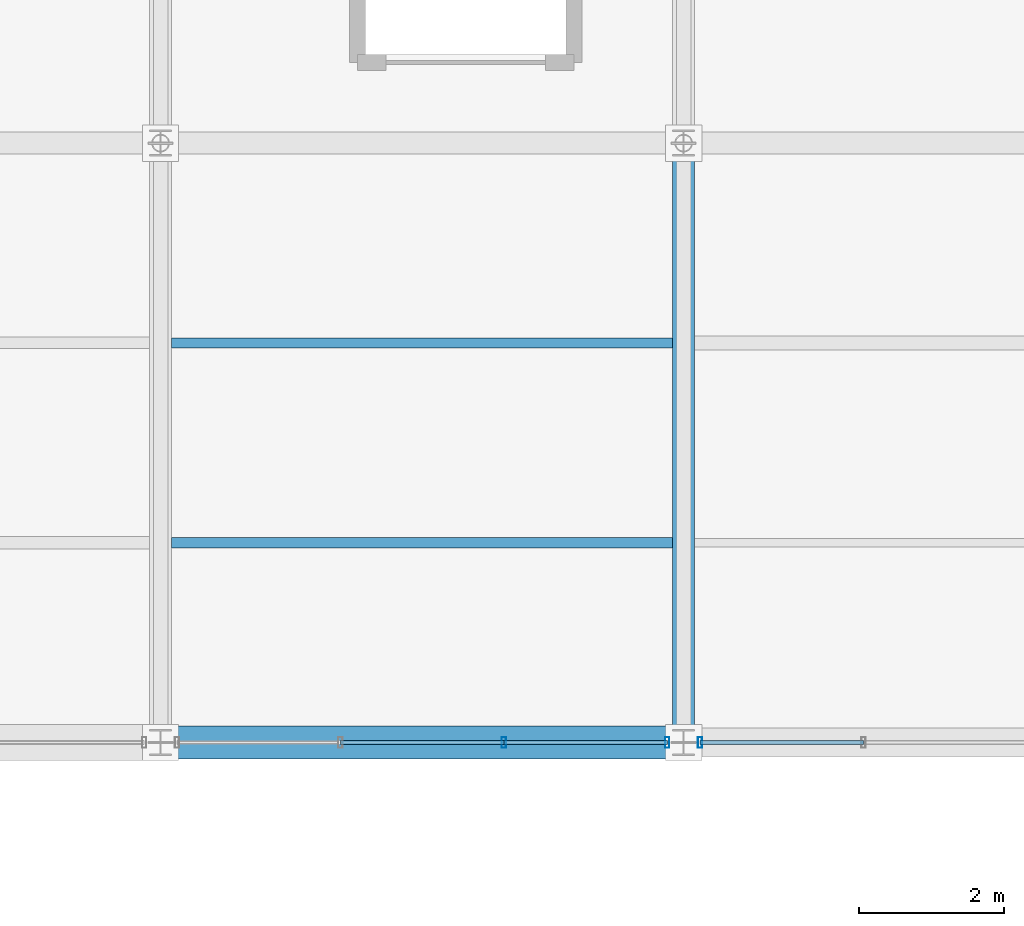
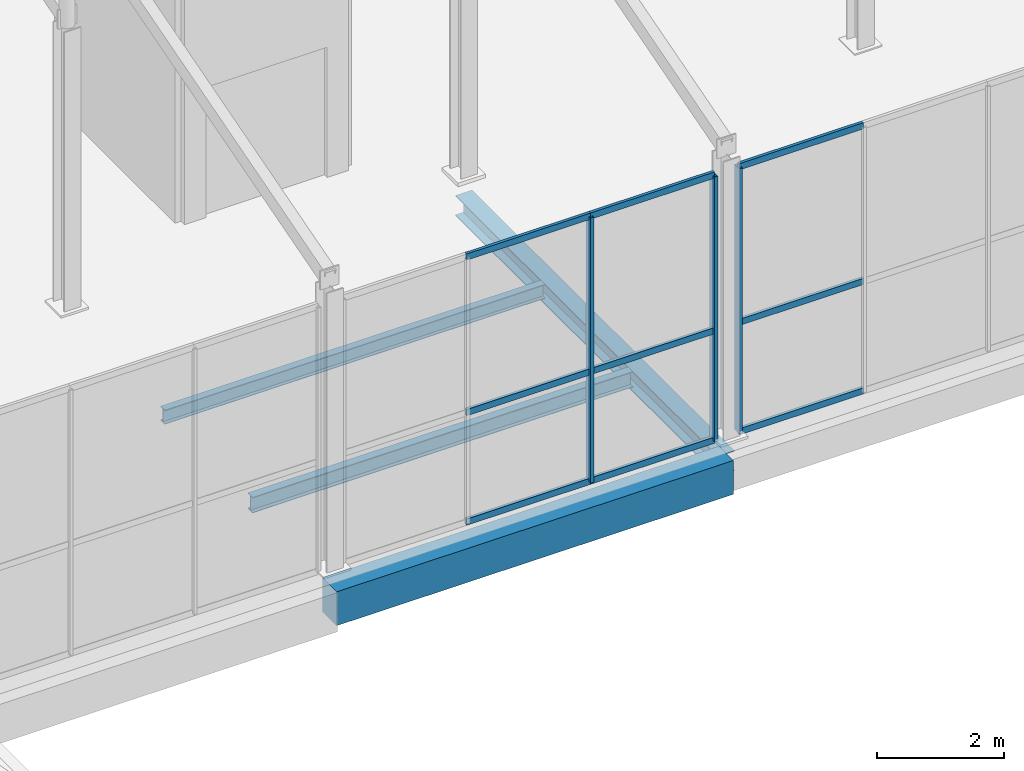
# One storey, part 21 of 141: 12 members, 4 beams, 2 elements without a shape of their own.
"""IFC4 building model written with IfcOpenShell, lengths in metres."""

from ifc_helpers import new_model, si_unit, direction, frame, origin, origin_2d, place, context, subcontext, project, spatial, rectangle, hollow_rectangle, i_section, extrude, material, layer, layer_set, material_profile, profile_set, type_object, element, aggregate, save


model = new_model("IFC4")

# Units and contexts
model_context = context("Model", 3, precision=1e-05, world=origin(), true_north=direction((0.0, 1.0)))
body_context = subcontext(model_context, "Body", "Model", "MODEL_VIEW")
ifc_project = project(units=[si_unit("LENGTHUNIT", "METRE"), si_unit("AREAUNIT", "SQUARE_METRE"), si_unit("VOLUMEUNIT", "CUBIC_METRE"), si_unit("PLANEANGLEUNIT", "RADIAN"), si_unit("MASSUNIT", "GRAM", prefix="KILO")], contexts=[model_context])

# Site, building, storey
site_placement = place(None, origin())
site = spatial("IfcSite", under=ifc_project, at=site_placement, CompositionType="ELEMENT")
building_placement = place(site_placement, origin())
building = spatial("IfcBuilding", under=site, at=building_placement, Name="Sundgate Opera House", CompositionType="ELEMENT")
storey_placement = place(building_placement, frame((0.0, 0.0, 11.39990234375)))
storey = spatial("IfcBuildingStorey", under=building, at=storey_placement, Name="L02", CompositionType="ELEMENT", Elevation=11.39990234375)

# Beams
ifc_material_1 = material(Name="Steel S355J2", Category="steel")
ifc_material_profile_1 = material_profile(ifc_material_1, i_section(OverallWidth=0.300048828125, OverallDepth=0.389892578125, WebThickness=0.010986328125, FlangeThickness=0.01904296875, at=origin_2d()), Name="HEA 400")
ifc_profile_set_1 = profile_set([ifc_material_profile_1], Name="Steel S355J2")
beam_type_1 = type_object("IfcBeamType", Name="BM-GR-HEA400", PredefinedType="BEAM", material=ifc_profile_set_1)
beam_1_placement = place(storey_placement, frame((109.800048828125, 8.25, -0.544921875), z_axis=(0.0, 1.0, 0.0), x_axis=(-1.0, 0.0, 0.0)))
element("IfcBeam", 1, at=beam_1_placement, inside=storey, type_object=beam_type_1, Name="L02 Primary N-S Girder B1868", PredefinedType="BEAM", context=body_context, shape_type="SweptSolid", body=[
    extrude(i_section(OverallWidth=0.300048828125, OverallDepth=0.389892578125, WebThickness=0.010986328125, FlangeThickness=0.01904296875, at=origin_2d()), origin(), (0.0, 0.0, 1.0), 8.25),
])
ifc_material_2 = material(Name="Steel S355J2", Category="steel")
ifc_material_profile_2 = material_profile(ifc_material_2, i_section(OverallWidth=0.135009765625, OverallDepth=0.27001953125, WebThickness=0.006591796875, FlangeThickness=0.01025390625, at=origin_2d()), Name="IPE 270")
ifc_profile_set_2 = profile_set([ifc_material_profile_2], Name="Steel S355J2")
beam_type_2 = type_object("IfcBeamType", Name="BM-JS-IPE270", PredefinedType="JOIST", material=ifc_profile_set_2)
beam_2_placement = place(storey_placement, frame((102.75, 13.75, -0.48486328125), z_axis=(1.0, 0.0, 0.0), x_axis=(0.0, 1.0, 0.0)))
element("IfcBeam", 2, at=beam_2_placement, inside=storey, type_object=beam_type_2, Name="L02 Secondary Floor Joist B2148", PredefinedType="JOIST", context=body_context, shape_type="SweptSolid", body=[
    extrude(i_section(OverallWidth=0.135009765625, OverallDepth=0.27001953125, WebThickness=0.006591796875, FlangeThickness=0.01025390625, at=origin_2d()), origin(), (0.0, 0.0, 1.0), 6.89990234375),
])
ifc_material_3 = material(Name="Steel S355J2", Category="steel")
ifc_material_profile_3 = material_profile(ifc_material_3, i_section(OverallWidth=0.14990234375, OverallDepth=0.300048828125, WebThickness=0.007080078125, FlangeThickness=0.0107421875, at=origin_2d()), Name="IPE 300")
ifc_profile_set_3 = profile_set([ifc_material_profile_3], Name="Steel S355J2")
beam_type_3 = type_object("IfcBeamType", Name="BM-JS-IPE300", PredefinedType="JOIST", material=ifc_profile_set_3)
beam_3_placement = place(storey_placement, frame((102.75, 11.0, -0.5), z_axis=(1.0, 0.0, 0.0), x_axis=(0.0, 1.0, 0.0)))
element("IfcBeam", 3, at=beam_3_placement, inside=storey, type_object=beam_type_3, Name="L02 Secondary Floor Joist B2147", PredefinedType="JOIST", context=body_context, shape_type="SweptSolid", body=[
    extrude(i_section(OverallWidth=0.14990234375, OverallDepth=0.300048828125, WebThickness=0.007080078125, FlangeThickness=0.0107421875, at=origin_2d()), origin(), (0.0, 0.0, 1.0), 6.89990234375),
])
ifc_material_4 = material(Name="Concrete C35/45", Category="concrete")
ifc_material_profile_4 = material_profile(ifc_material_4, rectangle(XDim=0.449951171875, YDim=0.64990234375, at=origin_2d()), Name="RC 450x650")
ifc_profile_set_4 = profile_set([ifc_material_profile_4], Name="Concrete C35/45")
beam_type_4 = type_object("IfcBeamType", Name="BM-RC-450x650", PredefinedType="BEAM", material=ifc_profile_set_4)
beam_4_placement = place(storey_placement, frame((102.60009765625, 8.25, -0.6748046875), z_axis=(1.0, 0.0, 0.0), x_axis=(0.0, 1.0, 0.0)))
element("IfcBeam", 4, at=beam_4_placement, inside=storey, type_object=beam_type_4, Name="L02 Primary E-W Girder B1964", PredefinedType="BEAM", context=body_context, shape_type="SweptSolid", body=[
    extrude(rectangle(XDim=0.449951171875, YDim=0.64990234375, at=origin_2d()), origin(), (0.0, 0.0, 1.0), 7.199951171875),
])

# Curtain wall, members
ifc_material_5 = material(Name="Anodized aluminium and low-iron glass", Category="aluminium")
ifc_layer = layer(ifc_material_5, 0.14990234375)
ifc_layer_set = layer_set([ifc_layer], Name="Anodized aluminium and low-iron glass")
curtain_wall_type = type_object("IfcCurtainWallType", Name="CW-WORKSHOP-DARK", PredefinedType="NOTDEFINED", material=ifc_layer_set)
curtain_wall_1_placement = place(storey_placement, origin())
curtain_wall_1 = element("IfcCurtainWall", 5, at=curtain_wall_1_placement, inside=storey, type_object=curtain_wall_type, Name="L02 Curtain Wall CW155", PredefinedType="NOTDEFINED")
ifc_material_6 = material(Name="Anodized aluminium EN AW-6063", Category="aluminium")
ifc_material_profile_5 = material_profile(ifc_material_6, hollow_rectangle(XDim=0.06005859375, YDim=0.14990234375, WallThickness=0.00390625, at=origin_2d()), Name="CWM 150x60x4")
ifc_profile_set_5 = profile_set([ifc_material_profile_5], Name="Anodized aluminium EN AW-6063")
member_type_1 = type_object("IfcMemberType", Name="CWM-ALU-150x60", PredefinedType="MULLION", material=ifc_profile_set_5)
member_1_placement = place(storey_placement, frame((109.574951171875, 8.25, 0.0), z_axis=(0.0, 0.0, 1.0), x_axis=(1.0, 0.0, 0.0)))
member_1 = element("IfcMember", 6, at=member_1_placement, type_object=member_type_1, Name="CW155 Mullion 1", PredefinedType="MULLION", context=body_context, shape_type="SweptSolid", body=[
    extrude(hollow_rectangle(XDim=0.06005859375, YDim=0.14990234375, WallThickness=0.00390625, at=origin_2d()), origin(), (0.0, 0.0, 1.0), 5.085205078125),
])
member_2_placement = place(storey_placement, frame((107.324951171875, 8.25, 0.0), z_axis=(0.0, 0.0, 1.0), x_axis=(1.0, 0.0, 0.0)))
member_2 = element("IfcMember", 7, at=member_2_placement, type_object=member_type_1, Name="CW155 Mullion 2", PredefinedType="MULLION", context=body_context, shape_type="SweptSolid", body=[
    extrude(hollow_rectangle(XDim=0.06005859375, YDim=0.14990234375, WallThickness=0.00390625, at=origin_2d()), origin(), (0.0, 0.0, 1.0), 5.085205078125),
])

# Curtain wall, member
curtain_wall_2_placement = place(storey_placement, origin())
curtain_wall_2 = element("IfcCurtainWall", 8, at=curtain_wall_2_placement, inside=storey, type_object=curtain_wall_type, Name="L02 Curtain Wall CW156", PredefinedType="NOTDEFINED")
member_3_placement = place(storey_placement, frame((110.02490234375, 8.25, 0.0), z_axis=(0.0, 0.0, 1.0), x_axis=(1.0, 0.0, 0.0)))
member_3 = element("IfcMember", 9, at=member_3_placement, type_object=member_type_1, Name="CW156 Mullion 4", PredefinedType="MULLION", context=body_context, shape_type="SweptSolid", body=[
    extrude(hollow_rectangle(XDim=0.06005859375, YDim=0.14990234375, WallThickness=0.00390625, at=origin_2d()), origin(), (0.0, 0.0, 1.0), 5.085205078125),
])

# Member
ifc_material_7 = material(Name="Anodized aluminium EN AW-6063", Category="aluminium")
ifc_material_profile_6 = material_profile(ifc_material_7, hollow_rectangle(XDim=0.054931640625, YDim=0.1201171875, WallThickness=0.00390625, at=origin_2d()), Name="CWT 120x55x4")
ifc_profile_set_6 = profile_set([ifc_material_profile_6], Name="Anodized aluminium EN AW-6063")
member_type_2 = type_object("IfcMemberType", Name="CWT-ALU-120x55", PredefinedType="USERDEFINED", material=ifc_profile_set_6)
member_4_placement = place(storey_placement, frame((109.574951171875, 8.25, 0.0), z_axis=(-1.0, 0.0, 0.0), x_axis=(0.0, -1.0, 0.0)))
member_4 = element("IfcMember", 10, at=member_4_placement, type_object=member_type_2, Name="CW155 Transom 1", ObjectType="TRANSOM", PredefinedType="USERDEFINED", context=body_context, shape_type="SweptSolid", body=[
    extrude(hollow_rectangle(XDim=0.054931640625, YDim=0.1201171875, WallThickness=0.00390625, at=origin_2d()), origin(), (0.0, 0.0, 1.0), 2.25),
])

member_5_placement = place(storey_placement, frame((109.574951171875, 8.25, 2.10009765625), z_axis=(-1.0, 0.0, 0.0), x_axis=(0.0, -1.0, 0.0)))
member_5 = element("IfcMember", 11, at=member_5_placement, type_object=member_type_2, Name="CW155 Transom 2", ObjectType="TRANSOM", PredefinedType="USERDEFINED", context=body_context, shape_type="SweptSolid", body=[
    extrude(hollow_rectangle(XDim=0.054931640625, YDim=0.1201171875, WallThickness=0.00390625, at=origin_2d()), origin(), (0.0, 0.0, 1.0), 2.25),
])

member_6_placement = place(storey_placement, frame((109.574951171875, 8.25, 5.085205078125), z_axis=(-1.0, 0.0, 0.0), x_axis=(0.0, -1.0, 0.0)))
member_6 = element("IfcMember", 12, at=member_6_placement, type_object=member_type_2, Name="CW155 Transom 3", ObjectType="TRANSOM", PredefinedType="USERDEFINED", context=body_context, shape_type="SweptSolid", body=[
    extrude(hollow_rectangle(XDim=0.054931640625, YDim=0.1201171875, WallThickness=0.00390625, at=origin_2d()), origin(), (0.0, 0.0, 1.0), 2.25),
])

member_7_placement = place(storey_placement, frame((107.324951171875, 8.25, 0.0), z_axis=(-1.0, 0.0, 0.0), x_axis=(0.0, -1.0, 0.0)))
member_7 = element("IfcMember", 13, at=member_7_placement, type_object=member_type_2, Name="CW155 Transom 4", ObjectType="TRANSOM", PredefinedType="USERDEFINED", context=body_context, shape_type="SweptSolid", body=[
    extrude(hollow_rectangle(XDim=0.054931640625, YDim=0.1201171875, WallThickness=0.00390625, at=origin_2d()), origin(), (0.0, 0.0, 1.0), 2.25),
])

member_8_placement = place(storey_placement, frame((107.324951171875, 8.25, 2.10009765625), z_axis=(-1.0, 0.0, 0.0), x_axis=(0.0, -1.0, 0.0)))
member_8 = element("IfcMember", 14, at=member_8_placement, type_object=member_type_2, Name="CW155 Transom 5", ObjectType="TRANSOM", PredefinedType="USERDEFINED", context=body_context, shape_type="SweptSolid", body=[
    extrude(hollow_rectangle(XDim=0.054931640625, YDim=0.1201171875, WallThickness=0.00390625, at=origin_2d()), origin(), (0.0, 0.0, 1.0), 2.25),
])

member_9_placement = place(storey_placement, frame((107.324951171875, 8.25, 5.085205078125), z_axis=(-1.0, 0.0, 0.0), x_axis=(0.0, -1.0, 0.0)))
member_9 = element("IfcMember", 15, at=member_9_placement, type_object=member_type_2, Name="CW155 Transom 6", ObjectType="TRANSOM", PredefinedType="USERDEFINED", context=body_context, shape_type="SweptSolid", body=[
    extrude(hollow_rectangle(XDim=0.054931640625, YDim=0.1201171875, WallThickness=0.00390625, at=origin_2d()), origin(), (0.0, 0.0, 1.0), 2.25),
])

aggregate(curtain_wall_1, [member_1, member_2, member_4, member_5, member_6, member_7, member_8, member_9])

member_10_placement = place(storey_placement, frame((112.27490234375, 8.25, 0.0), z_axis=(-1.0, 0.0, 0.0), x_axis=(0.0, -1.0, 0.0)))
member_10 = element("IfcMember", 16, at=member_10_placement, type_object=member_type_2, Name="CW156 Transom 7", ObjectType="TRANSOM", PredefinedType="USERDEFINED", context=body_context, shape_type="SweptSolid", body=[
    extrude(hollow_rectangle(XDim=0.054931640625, YDim=0.1201171875, WallThickness=0.00390625, at=origin_2d()), origin(), (0.0, 0.0, 1.0), 2.25),
])

member_11_placement = place(storey_placement, frame((112.27490234375, 8.25, 2.10009765625), z_axis=(-1.0, 0.0, 0.0), x_axis=(0.0, -1.0, 0.0)))
member_11 = element("IfcMember", 17, at=member_11_placement, type_object=member_type_2, Name="CW156 Transom 8", ObjectType="TRANSOM", PredefinedType="USERDEFINED", context=body_context, shape_type="SweptSolid", body=[
    extrude(hollow_rectangle(XDim=0.054931640625, YDim=0.1201171875, WallThickness=0.00390625, at=origin_2d()), origin(), (0.0, 0.0, 1.0), 2.25),
])

member_12_placement = place(storey_placement, frame((112.27490234375, 8.25, 5.085205078125), z_axis=(-1.0, 0.0, 0.0), x_axis=(0.0, -1.0, 0.0)))
member_12 = element("IfcMember", 18, at=member_12_placement, type_object=member_type_2, Name="CW156 Transom 9", ObjectType="TRANSOM", PredefinedType="USERDEFINED", context=body_context, shape_type="SweptSolid", body=[
    extrude(hollow_rectangle(XDim=0.054931640625, YDim=0.1201171875, WallThickness=0.00390625, at=origin_2d()), origin(), (0.0, 0.0, 1.0), 2.25),
])

aggregate(curtain_wall_2, [member_3, member_10, member_11, member_12])

save(model, "model.ifc")
